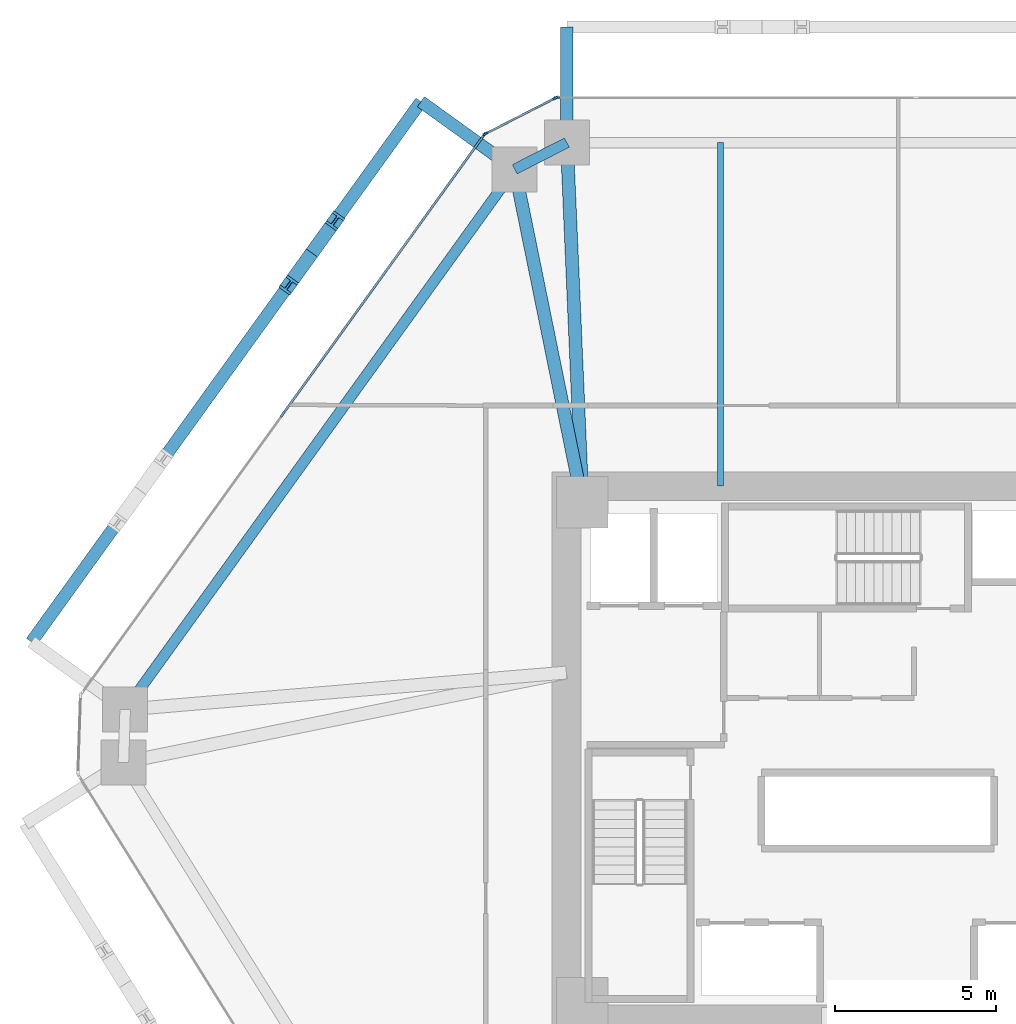
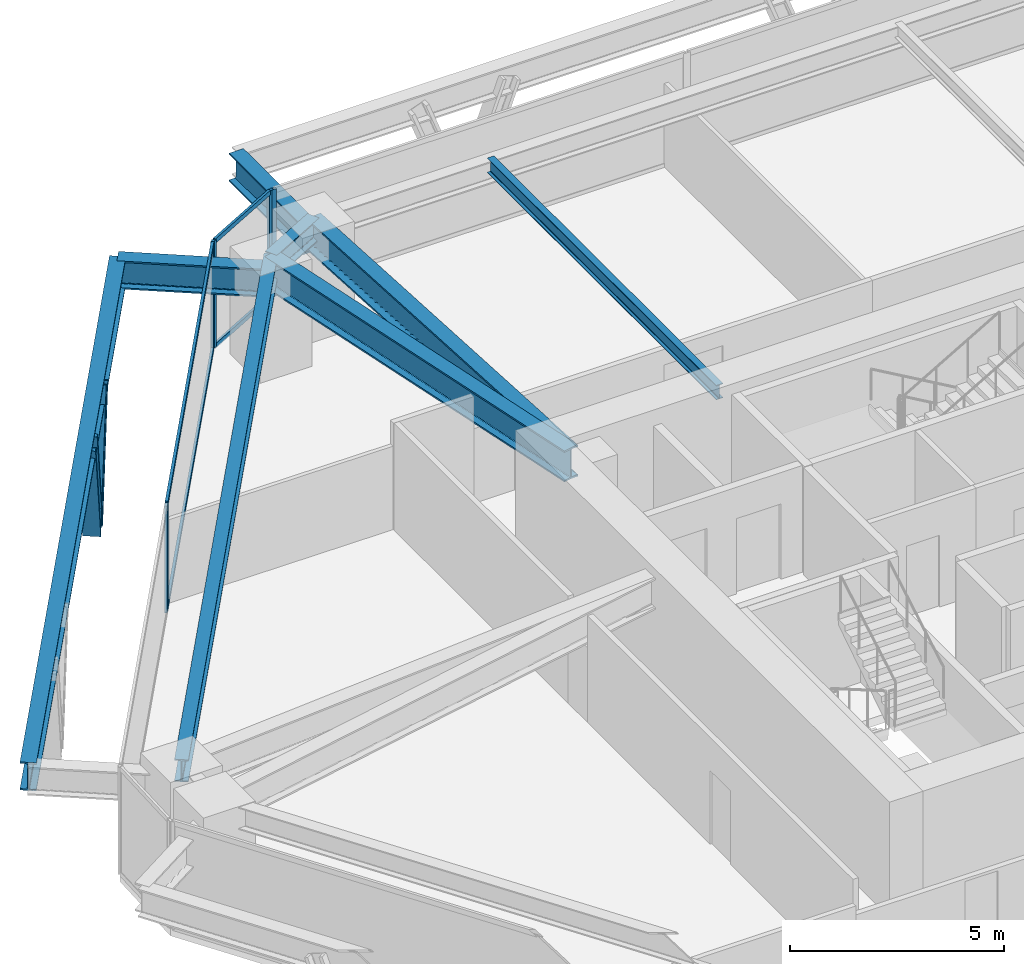
# One storey, part 7 of 14: 11 members, 8 beams, 3 elements without a shape of their own.
"""IFC4 building model written with IfcOpenShell, lengths in metres."""

from ifc_helpers import new_model, si_unit, direction, frame, origin, origin_2d, place, context, subcontext, project, spatial, rectangle, i_section, extrude, source, transform, mapped, material, layer, layer_set, material_profile, profile_set, type_object, type_shapes, element, aggregate, save


model = new_model("IFC4")

# Units and contexts
model_context = context("Model", 3, precision=1e-05, world=origin(), true_north=direction((0.0, 1.0)))
body_context = subcontext(model_context, "Body", "Model", "MODEL_VIEW")
ifc_project = project(units=[si_unit("LENGTHUNIT", "METRE"), si_unit("AREAUNIT", "SQUARE_METRE"), si_unit("VOLUMEUNIT", "CUBIC_METRE"), si_unit("PLANEANGLEUNIT", "RADIAN"), si_unit("MASSUNIT", "GRAM", prefix="KILO")], contexts=[model_context])

# Site, building, storey
site_placement = place(None, origin())
site = spatial("IfcSite", under=ifc_project, at=site_placement, CompositionType="ELEMENT")
building_placement = place(site_placement, origin())
building = spatial("IfcBuilding", under=site, at=building_placement, Name="Durnholm Broadcast Tower", CompositionType="ELEMENT")
storey_placement = place(building_placement, frame((0.0, 0.0, 35.699951171875)))
storey = spatial("IfcBuildingStorey", under=building, at=storey_placement, Name="L07", CompositionType="ELEMENT", Elevation=35.699951171875)

# Beams
ifc_material_1 = material(Name="Steel ASTM A992 Grade 50", Category="steel")
ifc_material_profile_1 = material_profile(ifc_material_1, i_section(OverallWidth=0.3291015625, OverallDepth=0.635009765625, WebThickness=0.017822265625, FlangeThickness=0.031005859375, FilletRadius=0.02783203125, at=origin_2d()), Name="W24X162")
ifc_profile_set_1 = profile_set([ifc_material_profile_1], Name="Steel ASTM A992 Grade 50")
beam_type_1 = type_object("IfcBeamType", Name="STL-SP-W24X162", PredefinedType="SPANDREL", material=ifc_profile_set_1)
shared_shape_1 = source(origin(), body_context, "Body", "SweptSolid", [
    extrude(i_section(OverallWidth=0.3291015625, OverallDepth=0.635009765625, WebThickness=0.017822265625, FlangeThickness=0.031005859375, FilletRadius=0.02783203125, at=origin_2d()), origin(), (0.0, 0.0, 1.0), 20.737060546875),
])
beam_1_placement = place(storey_placement, frame((-24.034912109375, 1.347412109375, 2.7275390625), z_axis=(0.584821933191, 0.811161701795, 0.0), x_axis=(-0.811161701795, 0.584821933191, 0.0)))
element("IfcBeam", 1, at=beam_1_placement, inside=storey, type_object=beam_type_1, Name="L07 perimeter spandrel girder 03", PredefinedType="SPANDREL", context=body_context, shape_type="MappedRepresentation", body=[
    mapped(shared_shape_1, transform((0.0, 0.0, 0.0), x_axis=(1.0, 0.0, 0.0), y_axis=(0.0, 1.0, 0.0), z_axis=(0.0, 0.0, 1.0), scale=1.0)),
])
shared_shape_2 = source(origin(), body_context, "Body", "SweptSolid", [
    extrude(i_section(OverallWidth=0.3291015625, OverallDepth=0.635009765625, WebThickness=0.017822265625, FlangeThickness=0.031005859375, FilletRadius=0.02783203125, at=origin_2d()), origin(), (0.0, 0.0, 1.0), 1.8251953125),
])
type_shapes(beam_type_1, [shared_shape_1, shared_shape_2])
beam_2_placement = place(storey_placement, frame((-11.907470703125, 18.16845703125, 2.7275390625), z_axis=(0.890187609501, 0.455594139438, 0.0), x_axis=(-0.455594139438, 0.890187609501, 0.0)))
element("IfcBeam", 2, at=beam_2_placement, inside=storey, type_object=beam_type_1, Name="L07 perimeter spandrel girder 04", PredefinedType="SPANDREL", context=body_context, shape_type="MappedRepresentation", body=[
    mapped(shared_shape_2, transform((0.0, 0.0, 0.0), x_axis=(1.0, 0.0, 0.0), y_axis=(0.0, 1.0, 0.0), z_axis=(0.0, 0.0, 1.0), scale=1.0)),
])
ifc_material_profile_2 = material_profile(ifc_material_1, i_section(OverallWidth=0.404052734375, OverallDepth=0.885009765625, WebThickness=0.0244140625, FlangeThickness=0.0439453125, FilletRadius=0.03564453125, at=origin_2d()), Name="W33X291")
ifc_profile_set_2 = profile_set([ifc_material_profile_2], Name="Steel ASTM A992 Grade 50")
beam_type_2 = type_object("IfcBeamType", Name="STL-GR-W33X291", PredefinedType="USERDEFINED", material=ifc_profile_set_2)
shared_shape_3 = source(origin(), body_context, "Body", "SweptSolid", [
    extrude(i_section(OverallWidth=0.404052734375, OverallDepth=0.885009765625, WebThickness=0.0244140625, FlangeThickness=0.0439453125, FilletRadius=0.03564453125, at=origin_2d()), origin(), (0.0, 0.0, 1.0), 10.580322265625),
])
beam_3_placement = place(storey_placement, frame((-9.800048828125, 7.800048828125, 2.6025390625), z_axis=(-0.199181458925, 0.979962625012, 0.0), x_axis=(-0.979962625012, -0.199181458925, 0.0)))
element("IfcBeam", 3, at=beam_3_placement, inside=storey, type_object=beam_type_2, Name="L07 radial primary floor girder 04", ObjectType="GIRDER", PredefinedType="USERDEFINED", context=body_context, shape_type="MappedRepresentation", body=[
    mapped(shared_shape_3, transform((0.0, 0.0, 0.0), x_axis=(1.0, 0.0, 0.0), y_axis=(0.0, 1.0, 0.0), z_axis=(0.0, 0.0, 1.0), scale=1.0)),
])
shared_shape_4 = source(origin(), body_context, "Body", "SweptSolid", [
    extrude(i_section(OverallWidth=0.404052734375, OverallDepth=0.885009765625, WebThickness=0.0244140625, FlangeThickness=0.0439453125, FilletRadius=0.03564453125, at=origin_2d()), origin(), (0.0, 0.0, 1.0), 11.21044921875),
])
type_shapes(beam_type_2, [shared_shape_3, shared_shape_4])
beam_4_placement = place(storey_placement, frame((-9.800048828125, 7.800048828125, 2.6025390625), z_axis=(-0.043055404914, 0.999072686098, 0.0), x_axis=(-0.999072686098, -0.043055404914, 0.0)))
element("IfcBeam", 4, at=beam_4_placement, inside=storey, type_object=beam_type_2, Name="L07 radial primary floor girder 05", ObjectType="GIRDER", PredefinedType="USERDEFINED", context=body_context, shape_type="MappedRepresentation", body=[
    mapped(shared_shape_4, transform((0.0, 0.0, 0.0), x_axis=(1.0, 0.0, 0.0), y_axis=(0.0, 1.0, 0.0), z_axis=(0.0, 0.0, 1.0), scale=1.0)),
])
ifc_material_profile_3 = material_profile(ifc_material_1, i_section(OverallWidth=0.180908203125, OverallDepth=0.417236328125, WebThickness=0.010986328125, FlangeThickness=0.018310546875, FilletRadius=0.01904296875, at=origin_2d()), Name="W16X57")
ifc_profile_set_3 = profile_set([ifc_material_profile_3], Name="Steel ASTM A992 Grade 50")
beam_type_3 = type_object("IfcBeamType", Name="STL-BJ-W16X57", PredefinedType="JOIST", material=ifc_profile_set_3)
shared_shape_5 = source(origin(), body_context, "Body", "SweptSolid", [
    extrude(i_section(OverallWidth=0.180908203125, OverallDepth=0.417236328125, WebThickness=0.010986328125, FlangeThickness=0.018310546875, FilletRadius=0.01904296875, at=origin_2d()), origin(), (0.0, 0.0, 1.0), 10.699951171875),
])
type_shapes(beam_type_3, [shared_shape_5])
beam_5_placement = place(storey_placement, frame((-5.5, 8.300048828125, 2.83642578125), z_axis=(0.0, 1.0, 0.0), x_axis=(-1.0, 0.0, 0.0)))
element("IfcBeam", 5, at=beam_5_placement, inside=storey, type_object=beam_type_3, Name="L07 secondary floor joist 3.2", PredefinedType="JOIST", context=body_context, shape_type="MappedRepresentation", body=[
    mapped(shared_shape_5, transform((0.0, 0.0, 0.0), x_axis=(1.0, 0.0, 0.0), y_axis=(0.0, 1.0, 0.0), z_axis=(0.0, 0.0, 1.0), scale=1.0)),
])
ifc_material_profile_4 = material_profile(ifc_material_1, i_section(OverallWidth=0.385009765625, OverallDepth=0.802978515625, WebThickness=0.023681640625, FlangeThickness=0.0419921875, FilletRadius=0.032958984375, at=origin_2d()), Name="W30X261")
ifc_profile_set_4 = profile_set([ifc_material_profile_4], Name="Steel ASTM A992 Grade 50")
beam_type_4 = type_object("IfcBeamType", Name="BM-EXO-TIE", PredefinedType="USERDEFINED", material=ifc_profile_set_4)
shared_shape_6 = source(origin(), body_context, "Body", "SweptSolid", [
    extrude(i_section(OverallWidth=0.385009765625, OverallDepth=0.802978515625, WebThickness=0.023681640625, FlangeThickness=0.0419921875, FilletRadius=0.032958984375, at=origin_2d()), origin(), (0.0, 0.0, 1.0), 3.4560546875),
])
for number, where, z_axis, x_axis, name in (
    (6, (-10.28271484375, 19.14404296875, 2.30859375), (0.0, 1.0, 0.0), (-1.0, 0.0, 0.0), "L07 exoskeleton stand-off tie bracket F4.2"),
    (7, (-12.024169921875, 18.252685546875, 2.30859375), (-0.811157675106, 0.584827518262, 0.0), (-0.584827518262, -0.811157675106, 0.0), "L07 exoskeleton stand-off tie bracket F5.1"),
):
    element("IfcBeam", number, at=place(storey_placement, frame(where, z_axis=z_axis, x_axis=x_axis)), inside=storey, type_object=beam_type_4, Name=name, ObjectType="GIRDER", PredefinedType="USERDEFINED", context=body_context, shape_type="MappedRepresentation", body=[
        mapped(shared_shape_6, transform((0.0, 0.0, 0.0), x_axis=(1.0, 0.0, 0.0), y_axis=(0.0, 1.0, 0.0), z_axis=(0.0, 0.0, 1.0), scale=1.0)),
    ])
shared_shape_7 = source(origin(), body_context, "Body", "SweptSolid", [
    extrude(i_section(OverallWidth=0.385009765625, OverallDepth=0.802978515625, WebThickness=0.023681640625, FlangeThickness=0.0419921875, FilletRadius=0.032958984375, at=origin_2d()), origin(), (0.0, 0.0, 1.0), 20.737060546875),
])
type_shapes(beam_type_4, [shared_shape_6, shared_shape_7])
beam_6_placement = place(storey_placement, frame((-14.82763671875, 20.27392578125, 2.30859375), z_axis=(-0.5848163482, -0.811165728368, 0.0), x_axis=(0.811165728368, -0.5848163482, 0.0)))
element("IfcBeam", 8, at=beam_6_placement, inside=storey, type_object=beam_type_4, Name="L07 exoskeleton collector spandrel F5", PredefinedType="SPANDREL", context=body_context, shape_type="MappedRepresentation", body=[
    mapped(shared_shape_7, transform((0.0, 0.0, 0.0), x_axis=(1.0, 0.0, 0.0), y_axis=(0.0, 1.0, 0.0), z_axis=(0.0, 0.0, 1.0), scale=1.0)),
])

# Members
ifc_material_2 = material(Name="Steel ASTM A913 Grade 65", Category="steel")
ifc_material_profile_5 = material_profile(ifc_material_2, i_section(OverallWidth=0.43212890625, OverallDepth=0.497802734375, WebThickness=0.0556640625, FlangeThickness=0.0888671875, FilletRadius=0.030517578125, at=origin_2d()), Name="W14X500")
ifc_profile_set_5 = profile_set([ifc_material_profile_5], Name="Steel ASTM A913 Grade 65")
member_type_1 = type_object("IfcMemberType", Name="STL-DG-W14X500", PredefinedType="BRACE", material=ifc_profile_set_5)
shared_shape_8 = source(origin(), body_context, "Body", "SweptSolid", [
    extrude(i_section(OverallWidth=0.43212890625, OverallDepth=0.497802734375, WebThickness=0.0556640625, FlangeThickness=0.0888671875, FilletRadius=0.030517578125, at=origin_2d()), origin(), (0.0, 0.0, 1.0), 3.523193359375),
])
type_shapes(member_type_1, [shared_shape_8])
for number, where, z_axis, x_axis, name in (
    (9, (-18.223388671875, 15.56396484375, -0.991455078125), (0.204839138341, 0.284044529113, 0.93667477434), (-0.81109123444, 0.58491966065, 0.0), "L07 stand-off diagrid brace F5.D1.1"),
    (10, (-18.223388671875, 15.56396484375, -0.991455078125), (-0.20477274847, -0.284048560399, 0.936688068046), (0.811185111535, -0.584789461963, 0.0), "L07 stand-off diagrid brace F5.D1.2"),
):
    element("IfcMember", number, at=place(storey_placement, frame(where, z_axis=z_axis, x_axis=x_axis)), inside=storey, type_object=member_type_1, Name=name, PredefinedType="BRACE", context=body_context, shape_type="MappedRepresentation", body=[
        mapped(shared_shape_8, transform((0.0, 0.0, 0.0), x_axis=(1.0, 0.0, 0.0), y_axis=(0.0, 1.0, 0.0), z_axis=(0.0, 0.0, 1.0), scale=1.0)),
    ])

# Curtain wall, members
ifc_material_3 = material(Name="Aluminium and Solar Control IGU", Category="aluminium")
ifc_layer_1 = layer(ifc_material_3, 0.1650390625)
ifc_layer_set_1 = layer_set([ifc_layer_1], Name="Aluminium and Solar Control IGU")
curtain_wall_type_1 = type_object("IfcCurtainWallType", Name="CW-SYS-5", PredefinedType="NOTDEFINED", material=ifc_layer_set_1)
curtain_wall_1_placement = place(storey_placement, origin())
curtain_wall_1 = element("IfcCurtainWall", 11, at=curtain_wall_1_placement, inside=storey, type_object=curtain_wall_type_1, Name="L07 curtain wall CW-CORNER CW-L07-CRN-03", PredefinedType="NOTDEFINED")
ifc_material_4 = material(Name="Aluminium 6063-T6", Category="aluminium")
ifc_material_profile_6 = material_profile(ifc_material_4, rectangle(XDim=0.06494140625, YDim=0.1650390625, at=origin_2d()), Name="CWM65X165")
ifc_profile_set_6 = profile_set([ifc_material_profile_6], Name="Aluminium 6063-T6")
member_type_2 = type_object("IfcMemberType", Name="CW-SYS-5-MUL", PredefinedType="MULLION", material=ifc_profile_set_6)
shared_shape_9 = source(origin(), body_context, "Body", "SweptSolid", [
    extrude(rectangle(XDim=0.06494140625, YDim=0.1650390625, at=origin_2d()), origin(), (0.0, 0.0, 1.0), 3.06005859375),
])
type_shapes(member_type_2, [shared_shape_9])
member_1_placement = place(storey_placement, frame((-12.816650390625, 19.27587890625, 0.0), z_axis=(0.0, 0.0, 1.0), x_axis=(-0.455593758406, 0.890187804512, 0.0)))
member_1 = element("IfcMember", 12, at=member_1_placement, type_object=member_type_2, Name="CW-CORNER mullion 1", PredefinedType="MULLION", context=body_context, shape_type="MappedRepresentation", body=[
    mapped(shared_shape_9, transform((0.0, 0.0, 0.0), x_axis=(1.0, 0.0, 0.0), y_axis=(0.0, 1.0, 0.0), z_axis=(0.0, 0.0, 1.0), scale=1.0)),
])
member_2_placement = place(storey_placement, frame((-10.649169921875, 20.38525390625, 0.0), z_axis=(0.0, 0.0, 1.0), x_axis=(-0.455593758406, 0.890187804512, 0.0)))
member_2 = element("IfcMember", 13, at=member_2_placement, type_object=member_type_2, Name="CW-CORNER mullion 2", PredefinedType="MULLION", context=body_context, shape_type="MappedRepresentation", body=[
    mapped(shared_shape_9, transform((0.0, 0.0, 0.0), x_axis=(1.0, 0.0, 0.0), y_axis=(0.0, 1.0, 0.0), z_axis=(0.0, 0.0, 1.0), scale=1.0)),
])
ifc_material_profile_7 = material_profile(ifc_material_4, rectangle(XDim=0.06494140625, YDim=0.1298828125, at=origin_2d()), Name="CWT65X130")
ifc_profile_set_7 = profile_set([ifc_material_profile_7], Name="Aluminium 6063-T6")
member_type_3 = type_object("IfcMemberType", Name="CW-SYS-5-TRN", PredefinedType="USERDEFINED", material=ifc_profile_set_7)
shared_shape_10 = source(origin(), body_context, "Body", "SweptSolid", [
    extrude(rectangle(XDim=0.06494140625, YDim=0.1298828125, at=origin_2d()), origin(), (0.0, 0.0, 1.0), 2.3701171875),
])
type_shapes(member_type_3, [shared_shape_10])
member_3_placement = place(storey_placement, frame((-12.787841796875, 19.29052734375, 0.032470703125), z_axis=(0.890185016934, 0.455599205033, 0.0), x_axis=(-0.455599205033, 0.890185016934, 0.0)))
member_3 = element("IfcMember", 14, at=member_3_placement, type_object=member_type_3, Name="CW-CORNER transom 1.1", ObjectType="TRANSOM", PredefinedType="USERDEFINED", context=body_context, shape_type="MappedRepresentation", body=[
    mapped(shared_shape_10, transform((0.0, 0.0, 0.0), x_axis=(1.0, 0.0, 0.0), y_axis=(0.0, 1.0, 0.0), z_axis=(0.0, 0.0, 1.0), scale=1.0)),
])
member_4_placement = place(storey_placement, frame((-12.787841796875, 19.29052734375, 3.027587890625), z_axis=(0.890185016934, 0.455599205033, 0.0), x_axis=(-0.455599205033, 0.890185016934, 0.0)))
member_4 = element("IfcMember", 15, at=member_4_placement, type_object=member_type_3, Name="CW-CORNER transom 1.2", ObjectType="TRANSOM", PredefinedType="USERDEFINED", context=body_context, shape_type="MappedRepresentation", body=[
    mapped(shared_shape_10, transform((0.0, 0.0, 0.0), x_axis=(1.0, 0.0, 0.0), y_axis=(0.0, 1.0, 0.0), z_axis=(0.0, 0.0, 1.0), scale=1.0)),
])
aggregate(curtain_wall_1, [member_1, member_2, member_3, member_4])

ifc_layer_2 = layer(ifc_material_3, 0.18994140625)
ifc_layer_set_2 = layer_set([ifc_layer_2], Name="Aluminium and Solar Control IGU")
curtain_wall_type_2 = type_object("IfcCurtainWallType", Name="CW-SYS-3", PredefinedType="NOTDEFINED", material=ifc_layer_set_2)
curtain_wall_2_placement = place(storey_placement, origin())
curtain_wall_2 = element("IfcCurtainWall", 16, at=curtain_wall_2_placement, inside=storey, type_object=curtain_wall_type_2, Name="L07 curtain wall CW-Z12-VIS CW-L07-F02", PredefinedType="NOTDEFINED")
ifc_material_profile_8 = material_profile(ifc_material_4, rectangle(XDim=0.070068359375, YDim=0.18994140625, at=origin_2d()), Name="CWM70X190")
ifc_profile_set_8 = profile_set([ifc_material_profile_8], Name="Aluminium 6063-T6")
member_type_4 = type_object("IfcMemberType", Name="CW-SYS-3-MUL", PredefinedType="MULLION", material=ifc_profile_set_8)
shared_shape_11 = source(origin(), body_context, "Body", "SweptSolid", [
    extrude(rectangle(XDim=0.070068359375, YDim=0.18994140625, at=origin_2d()), origin(), (0.0, 0.0, 1.0), 3.06005859375),
])
type_shapes(member_type_4, [shared_shape_11])
member_5_placement = place(storey_placement, frame((-19.1328125, 10.540771484375, 0.0), z_axis=(0.0, 0.0, 1.0), x_axis=(-0.81116057493, 0.584823496176, 0.0)))
member_5 = element("IfcMember", 17, at=member_5_placement, type_object=member_type_4, Name="CW-Z12-VIS mullion 2", PredefinedType="MULLION", context=body_context, shape_type="MappedRepresentation", body=[
    mapped(shared_shape_11, transform((0.0, 0.0, 0.0), x_axis=(1.0, 0.0, 0.0), y_axis=(0.0, 1.0, 0.0), z_axis=(0.0, 0.0, 1.0), scale=1.0)),
])
member_6_placement = place(storey_placement, frame((-12.8662109375, 19.232666015625, 0.0), z_axis=(0.0, 0.0, 1.0), x_axis=(-0.81116057493, 0.584823496176, 0.0)))
member_6 = element("IfcMember", 18, at=member_6_placement, type_object=member_type_4, Name="CW-Z12-VIS mullion 3", PredefinedType="MULLION", context=body_context, shape_type="MappedRepresentation", body=[
    mapped(shared_shape_11, transform((0.0, 0.0, 0.0), x_axis=(1.0, 0.0, 0.0), y_axis=(0.0, 1.0, 0.0), z_axis=(0.0, 0.0, 1.0), scale=1.0)),
])

# Curtain wall, member
curtain_wall_3_placement = place(storey_placement, origin())
curtain_wall_3 = element("IfcCurtainWall", 19, at=curtain_wall_3_placement, inside=storey, type_object=curtain_wall_type_2, Name="L07 curtain wall CW-Z12-VIS CW-L07-F04", PredefinedType="NOTDEFINED")
member_7_placement = place(storey_placement, frame((-10.585205078125, 20.39990234375, 0.0), z_axis=(0.0, 0.0, 1.0), x_axis=(0.0, 1.0, 0.0)))
member_7 = element("IfcMember", 20, at=member_7_placement, type_object=member_type_4, Name="CW-Z12-VIS mullion 1", PredefinedType="MULLION", context=body_context, shape_type="MappedRepresentation", body=[
    mapped(shared_shape_11, transform((0.0, 0.0, 0.0), x_axis=(1.0, 0.0, 0.0), y_axis=(0.0, 1.0, 0.0), z_axis=(0.0, 0.0, 1.0), scale=1.0)),
])
aggregate(curtain_wall_3, [member_7])

# Member
ifc_material_profile_9 = material_profile(ifc_material_4, rectangle(XDim=0.070068359375, YDim=0.14990234375, at=origin_2d()), Name="CWT70X150")
ifc_profile_set_9 = profile_set([ifc_material_profile_9], Name="Aluminium 6063-T6")
member_type_5 = type_object("IfcMemberType", Name="CW-SYS-3-TRN", PredefinedType="USERDEFINED", material=ifc_profile_set_9)
shared_shape_12 = source(origin(), body_context, "Body", "SweptSolid", [
    extrude(rectangle(XDim=0.070068359375, YDim=0.14990234375, at=origin_2d()), origin(), (0.0, 0.0, 1.0), 10.645263671875),
])
type_shapes(member_type_5, [shared_shape_12])
member_8_placement = place(storey_placement, frame((-19.1123046875, 10.569091796875, 0.03515625), z_axis=(0.584822983179, 0.811160944786, 0.0), x_axis=(-0.811160944786, 0.584822983179, 0.0)))
member_8 = element("IfcMember", 21, at=member_8_placement, type_object=member_type_5, Name="CW-Z12-VIS transom 2.1", ObjectType="TRANSOM", PredefinedType="USERDEFINED", context=body_context, shape_type="MappedRepresentation", body=[
    mapped(shared_shape_12, transform((0.0, 0.0, 0.0), x_axis=(1.0, 0.0, 0.0), y_axis=(0.0, 1.0, 0.0), z_axis=(0.0, 0.0, 1.0), scale=1.0)),
])

member_9_placement = place(storey_placement, frame((-19.1123046875, 10.569091796875, 3.025146484375), z_axis=(0.584822983179, 0.811160944786, 0.0), x_axis=(-0.811160944786, 0.584822983179, 0.0)))
member_9 = element("IfcMember", 22, at=member_9_placement, type_object=member_type_5, Name="CW-Z12-VIS transom 2.2", ObjectType="TRANSOM", PredefinedType="USERDEFINED", context=body_context, shape_type="MappedRepresentation", body=[
    mapped(shared_shape_12, transform((0.0, 0.0, 0.0), x_axis=(1.0, 0.0, 0.0), y_axis=(0.0, 1.0, 0.0), z_axis=(0.0, 0.0, 1.0), scale=1.0)),
])

aggregate(curtain_wall_2, [member_5, member_6, member_8, member_9])

save(model, "model.ifc")
